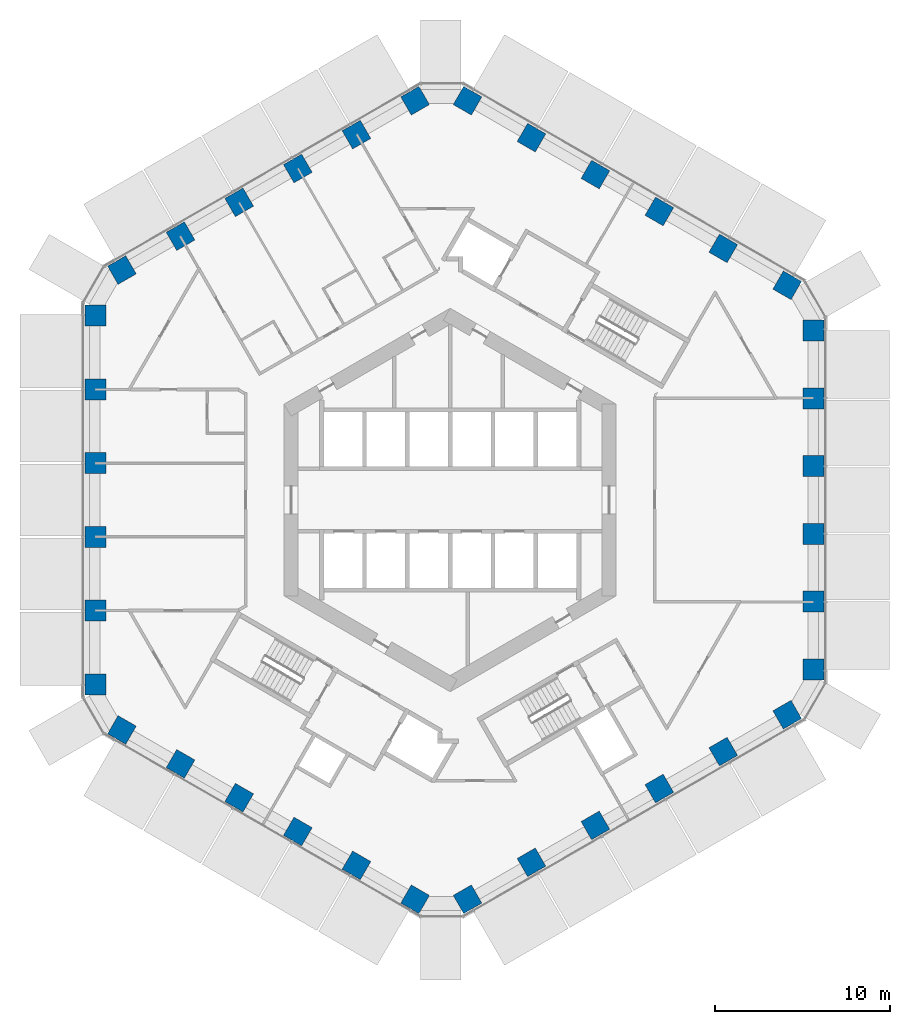
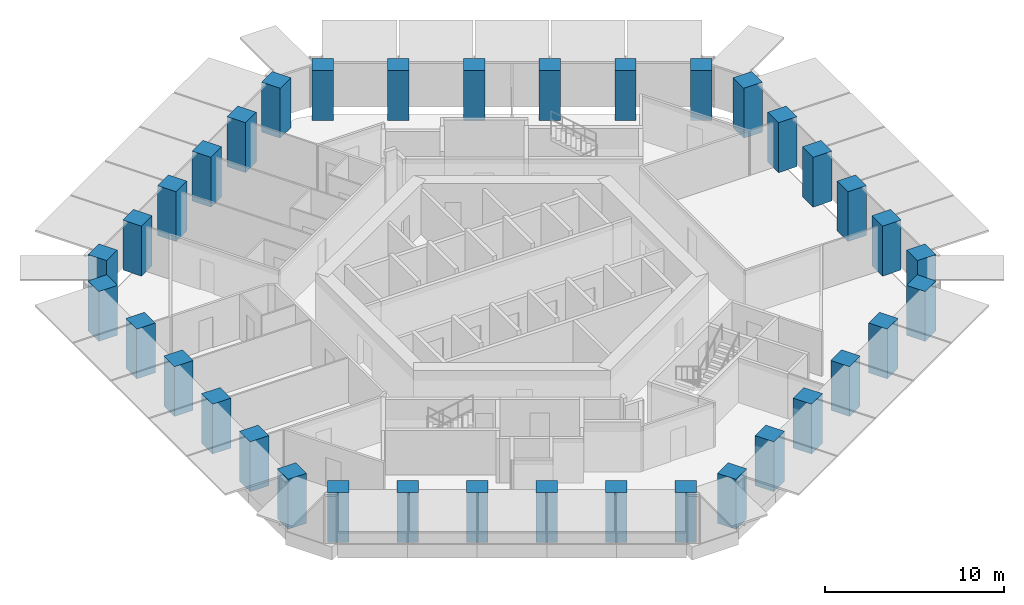
# One storey, part 1 of 19: 36 columns.
"""IFC4 building model written with IfcOpenShell, lengths in metres."""

from ifc_helpers import new_model, si_unit, direction, frame, origin, origin_2d, place, context, subcontext, project, spatial, rectangle, extrude, material, material_profile, profile_set, type_object, element, save


model = new_model("IFC4")

# Units and contexts
model_context = context("Model", 3, precision=1e-05, world=origin(), true_north=direction((0.0, 1.0)))
body_context = subcontext(model_context, "Body", "Model", "MODEL_VIEW")
ifc_project = project(units=[si_unit("LENGTHUNIT", "METRE"), si_unit("AREAUNIT", "SQUARE_METRE"), si_unit("VOLUMEUNIT", "CUBIC_METRE"), si_unit("PLANEANGLEUNIT", "RADIAN"), si_unit("MASSUNIT", "GRAM", prefix="KILO")], contexts=[model_context])

# Site, building, storey
site_placement = place(None, origin())
site = spatial("IfcSite", under=ifc_project, at=site_placement, CompositionType="ELEMENT")
building_placement = place(site_placement, origin())
building = spatial("IfcBuilding", under=site, at=building_placement, Name="Ayvan Gate Tower", CompositionType="ELEMENT")
storey_placement = place(building_placement, frame((0.0, 0.0, 52.699951171875)))
storey = spatial("IfcBuildingStorey", under=building, at=storey_placement, Name="L13", CompositionType="ELEMENT", Elevation=52.699951171875)

# Columns
ifc_material = material(Name="Concrete C70/85", Category="concrete")
ifc_material_profile = material_profile(ifc_material, rectangle(XDim=1.199951171875, YDim=1.199951171875, at=origin_2d()), Name="RC 1200x1200")
ifc_profile_set = profile_set([ifc_material_profile], Name="Concrete C70/85")
column_type = type_object("IfcColumnType", Name="Tube column RC 1200x1200 C70/85", PredefinedType="COLUMN", material=ifc_profile_set)
for number, where, z_axis, x_axis, name in (
    (1, (20.78466796875, -9.685546875, 0.0), (0.0, 0.0, 1.0), (1.0, 0.0, 0.0), "C-T0-0-L13"),
    (2, (20.78466796875, -5.811279296875, 0.0), (0.0, 0.0, 1.0), (1.0, 0.0, 0.0), "C-T0-1-L13"),
    (3, (20.78466796875, -1.93701171875, 0.0), (0.0, 0.0, 1.0), (1.0, 0.0, 0.0), "C-T0-2-L13"),
    (4, (20.78466796875, 1.93701171875, 0.0), (0.0, 0.0, 1.0), (1.0, 0.0, 0.0), "C-T0-3-L13"),
    (5, (20.78466796875, 5.811279296875, 0.0), (0.0, 0.0, 1.0), (1.0, 0.0, 0.0), "C-T0-4-L13"),
    (6, (20.78466796875, 9.685546875, 0.0), (0.0, 0.0, 1.0), (1.0, 0.0, 0.0), "C-T0-5-L13"),
    (7, (19.28466796875, 12.283447265625, 0.0), (0.0, 0.0, 1.0), (0.5, 0.866025403784, 0.0), "C-T1-0-L13"),
    (8, (15.626708984375, 14.395263671875, 0.0), (0.0, 0.0, 1.0), (0.5, 0.866025403784, 0.0), "C-T1-1-L13"),
    (9, (11.968994140625, 16.50732421875, 0.0), (0.0, 0.0, 1.0), (0.5, 0.866025403784, 0.0), "C-T1-2-L13"),
    (10, (8.311279296875, 18.619140625, 0.0), (0.0, 0.0, 1.0), (0.5, 0.866025403784, 0.0), "C-T1-3-L13"),
    (11, (4.6533203125, 20.73095703125, 0.0), (0.0, 0.0, 1.0), (0.5, 0.866025403784, 0.0), "C-T1-4-L13"),
    (12, (0.99560546875, 22.8427734375, 0.0), (0.0, 0.0, 1.0), (0.5, 0.866025403784, 0.0), "C-T1-5-L13"),
    (13, (-2.00439453125, 22.8427734375, 0.0), (0.0, 0.0, 1.0), (-0.5, 0.866025403784, 0.0), "C-T2-0-L13"),
    (14, (-5.359619140625, 20.905517578125, 0.0), (0.0, 0.0, 1.0), (-0.5, 0.866025403784, 0.0), "C-T2-1-L13"),
    (15, (-8.71484375, 18.968505859375, 0.0), (0.0, 0.0, 1.0), (-0.5, 0.866025403784, 0.0), "C-T2-2-L13"),
    (16, (-12.06982421875, 17.031494140625, 0.0), (0.0, 0.0, 1.0), (-0.5, 0.866025403784, 0.0), "C-T2-3-L13"),
    (17, (-15.425048828125, 15.094482421875, 0.0), (0.0, 0.0, 1.0), (-0.5, 0.866025403784, 0.0), "C-T2-4-L13"),
    (18, (-18.7802734375, 13.1572265625, 0.0), (0.0, 0.0, 1.0), (-0.5, 0.866025403784, 0.0), "C-T2-5-L13"),
    (19, (-20.2802734375, 10.55908203125, 0.0), (0.0, 0.0, 1.0), (-1.0, 0.0, 0.0), "C-T3-0-L13"),
    (20, (-20.2802734375, 6.33544921875, 0.0), (0.0, 0.0, 1.0), (-1.0, 0.0, 0.0), "C-T3-1-L13"),
    (21, (-20.2802734375, 2.11181640625, 0.0), (0.0, 0.0, 1.0), (-1.0, 0.0, 0.0), "C-T3-2-L13"),
    (22, (-20.2802734375, -2.11181640625, 0.0), (0.0, 0.0, 1.0), (-1.0, 0.0, 0.0), "C-T3-3-L13"),
    (23, (-20.2802734375, -6.33544921875, 0.0), (0.0, 0.0, 1.0), (-1.0, 0.0, 0.0), "C-T3-4-L13"),
    (24, (-20.2802734375, -10.55908203125, 0.0), (0.0, 0.0, 1.0), (-1.0, 0.0, 0.0), "C-T3-5-L13"),
    (25, (-18.7802734375, -13.1572265625, 0.0), (0.0, 0.0, 1.0), (-0.5, -0.866025403784, 0.0), "C-T4-0-L13"),
    (26, (-15.425048828125, -15.094482421875, 0.0), (0.0, 0.0, 1.0), (-0.5, -0.866025403784, 0.0), "C-T4-1-L13"),
    (27, (-12.06982421875, -17.031494140625, 0.0), (0.0, 0.0, 1.0), (-0.5, -0.866025403784, 0.0), "C-T4-2-L13"),
    (28, (-8.71484375, -18.968505859375, 0.0), (0.0, 0.0, 1.0), (-0.5, -0.866025403784, 0.0), "C-T4-3-L13"),
    (29, (-5.359619140625, -20.905517578125, 0.0), (0.0, 0.0, 1.0), (-0.5, -0.866025403784, 0.0), "C-T4-4-L13"),
    (30, (-2.00439453125, -22.8427734375, 0.0), (0.0, 0.0, 1.0), (-0.5, -0.866025403784, 0.0), "C-T4-5-L13"),
    (31, (0.99560546875, -22.8427734375, 0.0), (0.0, 0.0, 1.0), (0.5, -0.866025403784, 0.0), "C-T5-0-L13"),
    (32, (4.6533203125, -20.73095703125, 0.0), (0.0, 0.0, 1.0), (0.5, -0.866025403784, 0.0), "C-T5-1-L13"),
    (33, (8.311279296875, -18.619140625, 0.0), (0.0, 0.0, 1.0), (0.5, -0.866025403784, 0.0), "C-T5-2-L13"),
    (34, (11.968994140625, -16.50732421875, 0.0), (0.0, 0.0, 1.0), (0.5, -0.866025403784, 0.0), "C-T5-3-L13"),
    (35, (15.626708984375, -14.395263671875, 0.0), (0.0, 0.0, 1.0), (0.5, -0.866025403784, 0.0), "C-T5-4-L13"),
    (36, (19.28466796875, -12.283447265625, 0.0), (0.0, 0.0, 1.0), (0.5, -0.866025403784, 0.0), "C-T5-5-L13"),
):
    element("IfcColumn", number, at=place(storey_placement, frame(where, z_axis=z_axis, x_axis=x_axis)), inside=storey, type_object=column_type, Name=name, PredefinedType="COLUMN", context=body_context, shape_type="SweptSolid", body=[
        extrude(rectangle(XDim=1.199951171875, YDim=1.199951171875, at=origin_2d()), origin(), (0.0, 0.0, 1.0), 3.400146484375),
    ])

save(model, "model.ifc")
